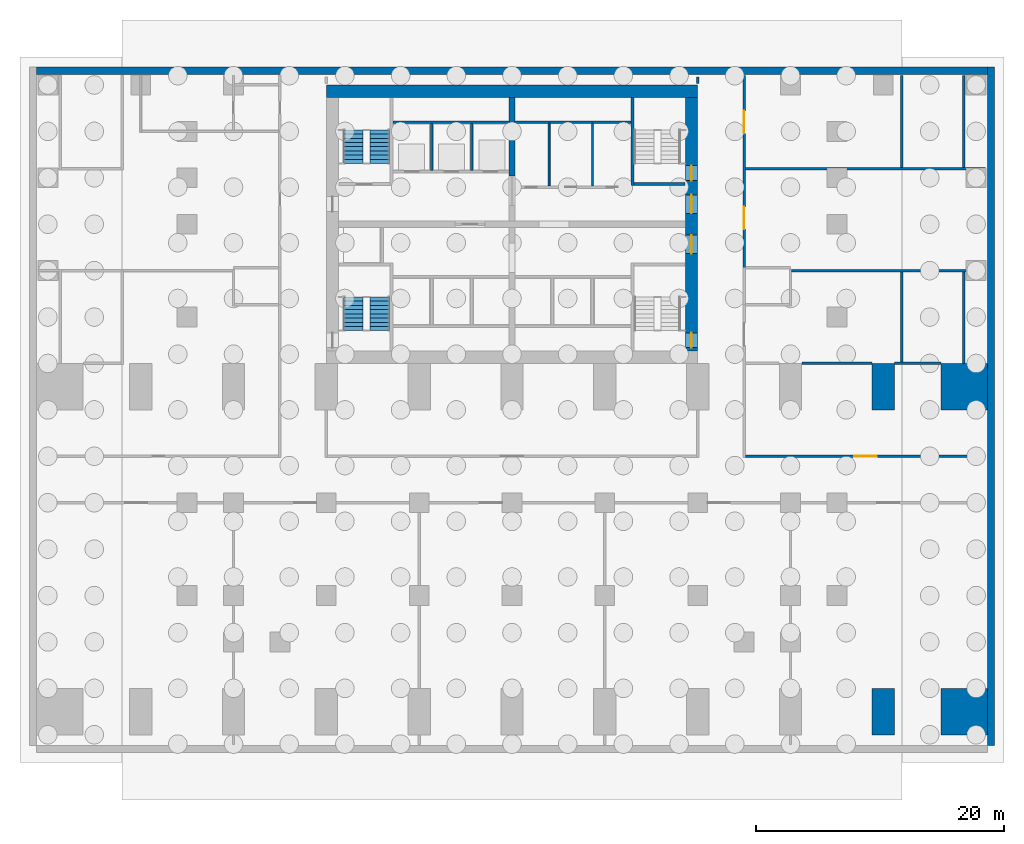
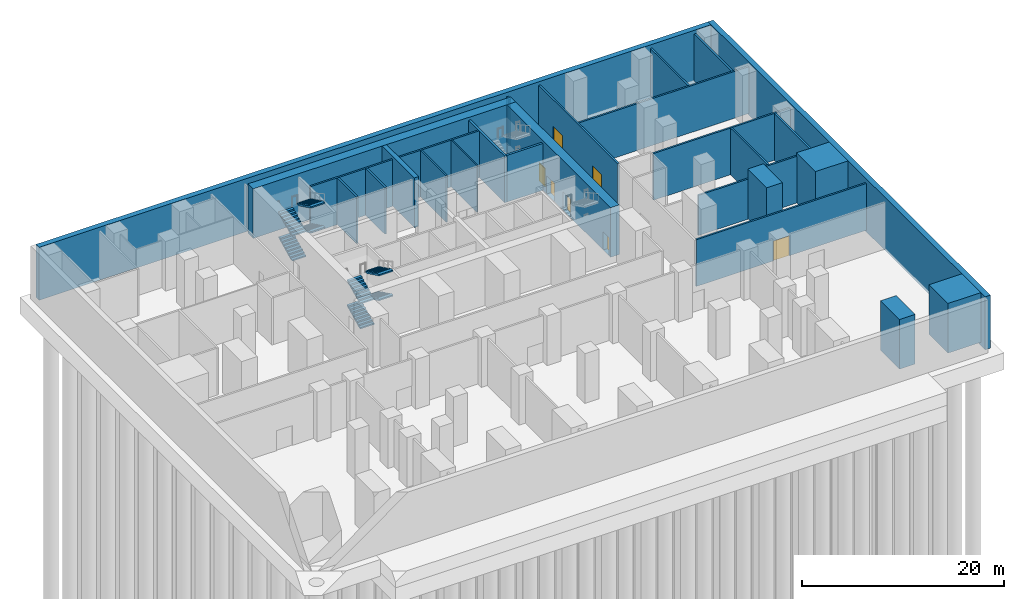
# One storey, part 6 of 9: 28 walls, 8 stair flights, 7 doors, 7 openings, 2 elements without a shape of their own.
"""IFC4 building model written with IfcOpenShell, lengths in metres."""

from ifc_helpers import new_model, si_unit, direction, frame, frame_2d, origin, place, context, subcontext, project, spatial, polyline, rectangle, outline, extrude, material, layer, layer_set, type_object, element, fill, aggregate, save


model = new_model("IFC4")

# Units and contexts
model_context = context("Model", 3, precision=1e-05, world=origin(), true_north=direction((0.0, 1.0)))
body_context = subcontext(model_context, "Body", "Model", "MODEL_VIEW")
ifc_project = project(units=[si_unit("LENGTHUNIT", "METRE"), si_unit("AREAUNIT", "SQUARE_METRE"), si_unit("VOLUMEUNIT", "CUBIC_METRE"), si_unit("PLANEANGLEUNIT", "RADIAN"), si_unit("MASSUNIT", "GRAM", prefix="KILO")], contexts=[model_context])

# Site, building, storey
site_placement = place(None, origin())
site = spatial("IfcSite", under=ifc_project, at=site_placement, CompositionType="ELEMENT")
building_placement = place(site_placement, origin())
building = spatial("IfcBuilding", under=site, at=building_placement, Name="Pilkhan Gate Tower", CompositionType="ELEMENT")
storey_placement = place(building_placement, frame((0.0, 0.0, -6.0)))
storey = spatial("IfcBuildingStorey", under=building, at=storey_placement, Name="B1", CompositionType="ELEMENT", Elevation=-6.0)

# Walls
ifc_material_1 = material(Name="Concrete C70/85", Category="concrete")
ifc_layer_1 = layer(ifc_material_1, 1.800048828125)
ifc_layer_set_1 = layer_set([ifc_layer_1], Name="Arch pier AP1800 C70/85")
wall_type_1 = type_object("IfcWallType", Name="Arch pier AP1800 C70/85", PredefinedType="SHEAR", material=ifc_layer_set_1)
for number, where, z_axis, x_axis, name in (
    (1, (105.0, 41.25, 0.0), (0.0, 0.0, 1.0), (0.0, 1.0, 0.0), "Arch pier S+4 B1"),
    (2, (105.0, 67.5, 0.0), (0.0, 0.0, 1.0), (0.0, 1.0, 0.0), "Arch pier N+4 B1"),
):
    element("IfcWall", number, at=place(storey_placement, frame(where, z_axis=z_axis, x_axis=x_axis)), inside=storey, type_object=wall_type_1, Name=name, PredefinedType="SHEAR", context=body_context, shape_type="SweptSolid", body=[
        extrude(rectangle(XDim=3.75, YDim=1.800048828125, at=frame_2d((1.875, 0.0))), origin(), (0.0, 0.0, 1.0), 6.0),
    ])
ifc_layer_2 = layer(ifc_material_1, 3.75)
ifc_layer_set_2 = layer_set([ifc_layer_2], Name="Arch pier AP3750 C70/85")
wall_type_2 = type_object("IfcWallType", Name="Arch pier AP3750 C70/85", PredefinedType="SHEAR", material=ifc_layer_set_2)
for number, where, z_axis, x_axis, name in (
    (3, (111.52490234375, 41.25, 0.0), (0.0, 0.0, 1.0), (0.0, 1.0, 0.0), "Arch pier S+5 B1"),
    (4, (111.52490234375, 67.5, 0.0), (0.0, 0.0, 1.0), (0.0, 1.0, 0.0), "Arch pier N+5 B1"),
):
    element("IfcWall", number, at=place(storey_placement, frame(where, z_axis=z_axis, x_axis=x_axis)), inside=storey, type_object=wall_type_2, Name=name, PredefinedType="SHEAR", context=body_context, shape_type="SweptSolid", body=[
        extrude(rectangle(XDim=3.75, YDim=3.75, at=frame_2d((1.875, 0.0))), origin(), (0.0, 0.0, 1.0), 6.0),
    ])

# Wall, openings, doors
ifc_layer_3 = layer(ifc_material_1, 1.0)
ifc_layer_set_3 = layer_set([ifc_layer_3], Name="Core wall CW1000 C70/85")
wall_type_3 = type_object("IfcWallType", Name="Core wall CW1000 C70/85", PredefinedType="SHEAR", material=ifc_layer_set_3)
wall_1_placement = place(storey_placement, frame((89.5, 72.25, 0.0), z_axis=(0.0, 0.0, 1.0), x_axis=(0.0, 1.0, 0.0)))
wall_1 = element("IfcWall", 5, at=wall_1_placement, inside=storey, type_object=wall_type_3, Name="Core wall E B1", PredefinedType="SHEAR", context=body_context, shape_type="SweptSolid", body=[
    extrude(rectangle(XDim=20.5, YDim=1.0, at=frame_2d((10.25, 0.0))), origin(), (0.0, 0.0, 1.0), 6.0),
])
opening_1_placement = place(wall_1_placement, frame((0.27490234375, 0.0, 0.0)))
opening_1 = element("IfcOpeningElement", 6, at=opening_1_placement, cuts=wall_1, Name="Opening B1-03", PredefinedType="OPENING", context=body_context, shape_type="SweptSolid", body=[
    extrude(rectangle(XDim=1.199951171875, YDim=2.199951171875, at=frame_2d((0.60009765625, 1.10009765625))), frame((0.0, 0.510009765625, 0.0), z_axis=(0.0, -1.0, 0.0), x_axis=(1.0, 0.0, 0.0)), (0.0, 0.0, 1.0), 1.02001953125),
])
opening_2_placement = place(wall_1_placement, frame((13.77490234375, 0.0, 0.0)))
opening_2 = element("IfcOpeningElement", 7, at=opening_2_placement, cuts=wall_1, Name="Opening B1-05", PredefinedType="OPENING", context=body_context, shape_type="SweptSolid", body=[
    extrude(rectangle(XDim=1.199951171875, YDim=2.199951171875, at=frame_2d((0.60009765625, 1.10009765625))), frame((0.0, 0.510009765625, 0.0), z_axis=(0.0, -1.0, 0.0), x_axis=(1.0, 0.0, 0.0)), (0.0, 0.0, 1.0), 1.02001953125),
])
opening_3_placement = place(wall_1_placement, frame((7.875, 0.0, 0.0)))
opening_3 = element("IfcOpeningElement", 8, at=opening_3_placement, cuts=wall_1, Name="Opening B1-06", PredefinedType="OPENING", context=body_context, shape_type="SweptSolid", body=[
    extrude(rectangle(XDim=1.5, YDim=2.199951171875, at=frame_2d((0.75, 1.10009765625))), frame((0.0, 0.510009765625, 0.0), z_axis=(0.0, -1.0, 0.0), x_axis=(1.0, 0.0, 0.0)), (0.0, 0.0, 1.0), 1.02001953125),
])
opening_4_placement = place(wall_1_placement, frame((11.125, 0.0, 0.0)))
opening_4 = element("IfcOpeningElement", 9, at=opening_4_placement, cuts=wall_1, Name="Opening B1-08", PredefinedType="OPENING", context=body_context, shape_type="SweptSolid", body=[
    extrude(rectangle(XDim=1.5, YDim=2.199951171875, at=frame_2d((0.75, 1.10009765625))), frame((0.0, 0.510009765625, 0.0), z_axis=(0.0, -1.0, 0.0), x_axis=(1.0, 0.0, 0.0)), (0.0, 0.0, 1.0), 1.02001953125),
])
ifc_material_2 = material(Name="Steel framed glazed door, 60 minute fire resisting", Category="steel")
door_type_1 = type_object("IfcDoorType", Name="Lobby door D09 1500x2200", OperationType="DOUBLE_DOOR_SINGLE_SWING", PredefinedType="DOOR", material=ifc_material_2)
door_1_placement = place(opening_3_placement, origin())
door_1 = element("IfcDoor", 10, at=door_1_placement, inside=storey, type_object=door_type_1, Name="Core door", OperationType="DOUBLE_DOOR_SINGLE_SWING", OverallHeight=2.199951171875, OverallWidth=1.5, PredefinedType="DOOR", context=body_context, shape_type="SweptSolid", body=[
    extrude(rectangle(XDim=1.5, YDim=2.199951171875, at=frame_2d((0.75, 1.10009765625))), frame((0.0, 0.02490234375, 0.0), z_axis=(0.0, -1.0, 0.0), x_axis=(1.0, 0.0, 0.0)), (0.0, 0.0, 1.0), 0.050048828125),
])
fill(opening_3, door_1)
door_2_placement = place(opening_4_placement, origin())
door_2 = element("IfcDoor", 11, at=door_2_placement, inside=storey, type_object=door_type_1, Name="Core door", OperationType="DOUBLE_DOOR_SINGLE_SWING", OverallHeight=2.199951171875, OverallWidth=1.5, PredefinedType="DOOR", context=body_context, shape_type="SweptSolid", body=[
    extrude(rectangle(XDim=1.5, YDim=2.199951171875, at=frame_2d((0.75, 1.10009765625))), frame((0.0, 0.02490234375, 0.0), z_axis=(0.0, -1.0, 0.0), x_axis=(1.0, 0.0, 0.0)), (0.0, 0.0, 1.0), 0.050048828125),
])
fill(opening_4, door_2)
ifc_material_3 = material(Name="Steel door, 120 minute fire resisting, panic bar", Category="steel")
door_type_2 = type_object("IfcDoorType", Name="Stair door D11 1200x2200", OperationType="SINGLE_SWING_LEFT", PredefinedType="DOOR", material=ifc_material_3)
door_3_placement = place(opening_1_placement, origin())
door_3 = element("IfcDoor", 12, at=door_3_placement, inside=storey, type_object=door_type_2, Name="Stair ST1 door", OperationType="SINGLE_SWING_RIGHT", OverallHeight=2.199951171875, OverallWidth=1.199951171875, PredefinedType="DOOR", context=body_context, shape_type="SweptSolid", body=[
    extrude(rectangle(XDim=1.199951171875, YDim=2.199951171875, at=frame_2d((0.60009765625, 1.10009765625))), frame((0.0, 0.02490234375, 0.0), z_axis=(0.0, -1.0, 0.0), x_axis=(1.0, 0.0, 0.0)), (0.0, 0.0, 1.0), 0.050048828125),
])
fill(opening_1, door_3)
door_4_placement = place(opening_2_placement, origin())
door_4 = element("IfcDoor", 13, at=door_4_placement, inside=storey, type_object=door_type_2, Name="Stair ST4 door", OperationType="SINGLE_SWING_LEFT", OverallHeight=2.199951171875, OverallWidth=1.199951171875, PredefinedType="DOOR", context=body_context, shape_type="SweptSolid", body=[
    extrude(rectangle(XDim=1.199951171875, YDim=2.199951171875, at=frame_2d((0.60009765625, 1.10009765625))), frame((0.0, 0.02490234375, 0.0), z_axis=(0.0, -1.0, 0.0), x_axis=(1.0, 0.0, 0.0)), (0.0, 0.0, 1.0), 0.050048828125),
])
fill(opening_2, door_4)

# Walls
wall_2_placement = place(storey_placement, frame((90.0, 93.25, 0.0), z_axis=(0.0, 0.0, 1.0), x_axis=(-1.0, 0.0, 0.0)))
element("IfcWall", 14, at=wall_2_placement, inside=storey, type_object=wall_type_3, Name="Core wall N B1", PredefinedType="SHEAR", context=body_context, shape_type="SweptSolid", body=[
    extrude(rectangle(XDim=30.0, YDim=1.0, at=frame_2d((15.0, 0.0))), origin(), (0.0, 0.0, 1.0), 6.0),
])
ifc_material_4 = material(Name="Dense blockwork", Category="masonry")
ifc_layer_4 = layer(ifc_material_4, 0.199951171875)
ifc_layer_set_4 = layer_set([ifc_layer_4], Name="Corridor wall FW200")
wall_type_4 = type_object("IfcWallType", Name="Corridor wall FW200", PredefinedType="PARTITIONING", material=ifc_layer_set_4)
wall_3_placement = place(storey_placement, frame((90.0, 93.8701171875, 0.0), z_axis=(0.0, 0.0, 1.0), x_axis=(0.0, 1.0, 0.0)))
element("IfcWall", 15, at=wall_3_placement, inside=storey, type_object=wall_type_4, Name="Partition B1", PredefinedType="PARTITIONING", context=body_context, shape_type="SweptSolid", body=[
    extrude(rectangle(XDim=0.52490234375, YDim=0.199951171875, at=frame_2d((0.262451171875, 0.0))), origin(), (0.0, 0.0, 1.0), 5.64990234375),
])

# Wall, opening, door
ifc_layer_5 = layer(ifc_material_4, 0.199951171875)
ifc_layer_set_5 = layer_set([ifc_layer_5], Name="Lobby wall LW200")
wall_type_5 = type_object("IfcWallType", Name="Lobby wall LW200", PredefinedType="PARTITIONING", material=ifc_layer_set_5)
wall_4_placement = place(storey_placement, frame((93.85009765625, 63.75, 0.0), z_axis=(0.0, 0.0, 1.0), x_axis=(1.0, 0.0, 0.0)))
wall_4 = element("IfcWall", 16, at=wall_4_placement, inside=storey, type_object=wall_type_5, Name="Partition B1", PredefinedType="PARTITIONING", context=body_context, shape_type="SweptSolid", body=[
    extrude(rectangle(XDim=19.414794921875, YDim=0.199951171875, at=frame_2d((9.70751953125, 0.0))), origin(), (0.0, 0.0, 1.0), 5.64990234375),
])
opening_5_placement = place(wall_4_placement, frame((8.800048828125, 0.0, 0.0)))
opening_5 = element("IfcOpeningElement", 17, at=opening_5_placement, cuts=wall_4, Name="Opening B1-21", PredefinedType="OPENING", context=body_context, shape_type="SweptSolid", body=[
    extrude(rectangle(XDim=1.800048828125, YDim=2.39990234375, at=frame_2d((0.89990234375, 1.199951171875))), frame((0.0, 0.10986328125, 0.0), z_axis=(0.0, -1.0, 0.0), x_axis=(1.0, 0.0, 0.0)), (0.0, 0.0, 1.0), 0.219970703125),
])
ifc_material_5 = material(Name="Steel door, 120 minute fire resisting", Category="steel")
door_type_3 = type_object("IfcDoorType", Name="Plant room door D08 1800x2400", OperationType="DOUBLE_DOOR_SINGLE_SWING", PredefinedType="DOOR", material=ifc_material_5)
door_5_placement = place(opening_5_placement, origin())
door_5 = element("IfcDoor", 18, at=door_5_placement, inside=storey, type_object=door_type_3, Name="Plant room door", OperationType="DOUBLE_DOOR_SINGLE_SWING", OverallHeight=2.39990234375, OverallWidth=1.800048828125, PredefinedType="DOOR", context=body_context, shape_type="SweptSolid", body=[
    extrude(rectangle(XDim=1.800048828125, YDim=2.39990234375, at=frame_2d((0.89990234375, 1.199951171875))), frame((0.0, 0.02490234375, 0.0), z_axis=(0.0, -1.0, 0.0), x_axis=(1.0, 0.0, 0.0)), (0.0, 0.0, 1.0), 0.050048828125),
])
fill(opening_5, door_5)

# Walls
wall_5_placement = place(storey_placement, frame((98.409912109375, 71.25, 0.0), z_axis=(0.0, 0.0, 1.0), x_axis=(1.0, 0.0, 0.0)))
element("IfcWall", 19, at=wall_5_placement, inside=storey, type_object=wall_type_5, Name="Partition B1", PredefinedType="PARTITIONING", context=body_context, shape_type="SweptSolid", body=[
    extrude(rectangle(XDim=5.68017578125, YDim=0.199951171875, at=frame_2d((2.840087890625, 0.0))), origin(), (0.0, 0.0, 1.0), 4.85009765625),
])
wall_6_placement = place(storey_placement, frame((105.909912109375, 71.25, 0.0), z_axis=(0.0, 0.0, 1.0), x_axis=(1.0, 0.0, 0.0)))
element("IfcWall", 20, at=wall_6_placement, inside=storey, type_object=wall_type_5, Name="Partition B1", PredefinedType="PARTITIONING", context=body_context, shape_type="SweptSolid", body=[
    extrude(rectangle(XDim=3.72998046875, YDim=0.199951171875, at=frame_2d((1.864990234375, 0.0))), origin(), (0.0, 0.0, 1.0), 5.64990234375),
])
wall_7_placement = place(storey_placement, frame((97.60009765625, 78.75, 0.0), z_axis=(0.0, 0.0, 1.0), x_axis=(1.0, 0.0, 0.0)))
element("IfcWall", 21, at=wall_7_placement, inside=storey, type_object=wall_type_5, Name="Partition B1", PredefinedType="PARTITIONING", context=body_context, shape_type="SweptSolid", body=[
    extrude(rectangle(XDim=15.664794921875, YDim=0.199951171875, at=frame_2d((7.83251953125, 0.0))), origin(), (0.0, 0.0, 1.0), 5.64990234375),
])
wall_8_placement = place(storey_placement, frame((93.85009765625, 87.0, 0.0), z_axis=(0.0, 0.0, 1.0), x_axis=(1.0, 0.0, 0.0)))
element("IfcWall", 22, at=wall_8_placement, inside=storey, type_object=wall_type_5, Name="Partition B1", PredefinedType="PARTITIONING", context=body_context, shape_type="SweptSolid", body=[
    extrude(rectangle(XDim=19.414794921875, YDim=0.199951171875, at=frame_2d((9.70751953125, 0.0))), origin(), (0.0, 0.0, 1.0), 5.64990234375),
])
wall_9_placement = place(storey_placement, frame((75.260009765625, 90.75, 0.0), z_axis=(0.0, 0.0, 1.0), x_axis=(1.0, 0.0, 0.0)))
element("IfcWall", 23, at=wall_9_placement, inside=storey, type_object=wall_type_5, Name="Partition B1", PredefinedType="PARTITIONING", context=body_context, shape_type="SweptSolid", body=[
    extrude(rectangle(XDim=9.364990234375, YDim=0.199951171875, at=frame_2d((4.6826171875, 0.0))), origin(), (0.0, 0.0, 1.0), 5.64990234375),
])

# Wall, openings, doors
wall_10_placement = place(storey_placement, frame((93.75, 78.89990234375, 0.0), z_axis=(0.0, 0.0, 1.0), x_axis=(0.0, 1.0, 0.0)))
wall_10 = element("IfcWall", 24, at=wall_10_placement, inside=storey, type_object=wall_type_5, Name="Partition B1", PredefinedType="PARTITIONING", context=body_context, shape_type="SweptSolid", body=[
    extrude(rectangle(XDim=15.614990234375, YDim=0.199951171875, at=frame_2d((7.8076171875, 0.0))), origin(), (0.0, 0.0, 1.0), 5.64990234375),
])
opening_6_placement = place(wall_10_placement, frame((3.199951171875, 0.0, 0.0)))
opening_6 = element("IfcOpeningElement", 25, at=opening_6_placement, cuts=wall_10, Name="Opening B1-24", PredefinedType="OPENING", context=body_context, shape_type="SweptSolid", body=[
    extrude(rectangle(XDim=1.800048828125, YDim=2.39990234375, at=frame_2d((0.89990234375, 1.199951171875))), frame((0.0, 0.10986328125, 0.0), z_axis=(0.0, -1.0, 0.0), x_axis=(1.0, 0.0, 0.0)), (0.0, 0.0, 1.0), 0.219970703125),
])
opening_7_placement = place(wall_10_placement, frame((10.949951171875, 0.0, 0.0)))
opening_7 = element("IfcOpeningElement", 26, at=opening_7_placement, cuts=wall_10, Name="Opening B1-25", PredefinedType="OPENING", context=body_context, shape_type="SweptSolid", body=[
    extrude(rectangle(XDim=1.800048828125, YDim=2.39990234375, at=frame_2d((0.89990234375, 1.199951171875))), frame((0.0, 0.10986328125, 0.0), z_axis=(0.0, -1.0, 0.0), x_axis=(1.0, 0.0, 0.0)), (0.0, 0.0, 1.0), 0.219970703125),
])
door_6_placement = place(opening_6_placement, origin())
door_6 = element("IfcDoor", 27, at=door_6_placement, inside=storey, type_object=door_type_3, Name="Plant room door", OperationType="DOUBLE_DOOR_SINGLE_SWING", OverallHeight=2.39990234375, OverallWidth=1.800048828125, PredefinedType="DOOR", context=body_context, shape_type="SweptSolid", body=[
    extrude(rectangle(XDim=1.800048828125, YDim=2.39990234375, at=frame_2d((0.89990234375, 1.199951171875))), frame((0.0, 0.02490234375, 0.0), z_axis=(0.0, -1.0, 0.0), x_axis=(1.0, 0.0, 0.0)), (0.0, 0.0, 1.0), 0.050048828125),
])
fill(opening_6, door_6)
door_7_placement = place(opening_7_placement, origin())
door_7 = element("IfcDoor", 28, at=door_7_placement, inside=storey, type_object=door_type_3, Name="Plant room door", OperationType="DOUBLE_DOOR_SINGLE_SWING", OverallHeight=2.39990234375, OverallWidth=1.800048828125, PredefinedType="DOOR", context=body_context, shape_type="SweptSolid", body=[
    extrude(rectangle(XDim=1.800048828125, YDim=2.39990234375, at=frame_2d((0.89990234375, 1.199951171875))), frame((0.0, 0.02490234375, 0.0), z_axis=(0.0, -1.0, 0.0), x_axis=(1.0, 0.0, 0.0)), (0.0, 0.0, 1.0), 0.050048828125),
])
fill(opening_7, door_7)

# Walls
wall_11_placement = place(storey_placement, frame((106.5, 71.35009765625, 0.0), z_axis=(0.0, 0.0, 1.0), x_axis=(0.0, 1.0, 0.0)))
element("IfcWall", 29, at=wall_11_placement, inside=storey, type_object=wall_type_5, Name="Partition B1", PredefinedType="PARTITIONING", context=body_context, shape_type="SweptSolid", body=[
    extrude(rectangle(XDim=7.2998046875, YDim=0.199951171875, at=frame_2d((3.64990234375, 0.0))), origin(), (0.0, 0.0, 1.0), 5.64990234375),
])
wall_12_placement = place(storey_placement, frame((106.5, 87.10009765625, 0.0), z_axis=(0.0, 0.0, 1.0), x_axis=(0.0, 1.0, 0.0)))
element("IfcWall", 30, at=wall_12_placement, inside=storey, type_object=wall_type_5, Name="Partition B1", PredefinedType="PARTITIONING", context=body_context, shape_type="SweptSolid", body=[
    extrude(rectangle(XDim=7.39990234375, YDim=0.199951171875, at=frame_2d((3.699951171875, 0.0))), origin(), (0.0, 0.0, 1.0), 5.64990234375),
])
wall_13_placement = place(storey_placement, frame((111.5, 71.260009765625, 0.0), z_axis=(0.0, 0.0, 1.0), x_axis=(0.0, 1.0, 0.0)))
element("IfcWall", 31, at=wall_13_placement, inside=storey, type_object=wall_type_5, Name="Partition B1", PredefinedType="PARTITIONING", context=body_context, shape_type="SweptSolid", body=[
    extrude(rectangle(XDim=7.389892578125, YDim=0.199951171875, at=frame_2d((3.69482421875, 0.0))), origin(), (0.0, 0.0, 1.0), 5.64990234375),
])
wall_14_placement = place(storey_placement, frame((111.5, 87.10009765625, 0.0), z_axis=(0.0, 0.0, 1.0), x_axis=(0.0, 1.0, 0.0)))
element("IfcWall", 32, at=wall_14_placement, inside=storey, type_object=wall_type_5, Name="Partition B1", PredefinedType="PARTITIONING", context=body_context, shape_type="SweptSolid", body=[
    extrude(rectangle(XDim=7.39990234375, YDim=0.199951171875, at=frame_2d((3.699951171875, 0.0))), origin(), (0.0, 0.0, 1.0), 5.64990234375),
])
ifc_material_6 = material(Name="Blockwork partition, plastered both sides", Category="masonry")
ifc_layer_6 = layer(ifc_material_6, 0.14990234375)
ifc_layer_set_6 = layer_set([ifc_layer_6], Name="Partition PW150")
wall_type_6 = type_object("IfcWallType", Name="Partition PW150", PredefinedType="PARTITIONING", material=ifc_layer_set_6)
for number, where, z_axis, x_axis, name in (
    (33, (78.0, 85.60009765625, 0.0), (0.0, 0.0, 1.0), (0.0, 1.0, 0.0), "Partition B1"),
    (34, (81.5, 85.60009765625, 0.0), (0.0, 0.0, 1.0), (0.0, 1.0, 0.0), "Partition B1"),
):
    element("IfcWall", number, at=place(storey_placement, frame(where, z_axis=z_axis, x_axis=x_axis)), inside=storey, type_object=wall_type_6, Name=name, PredefinedType="PARTITIONING", context=body_context, shape_type="SweptSolid", body=[
        extrude(rectangle(XDim=5.0498046875, YDim=0.14990234375, at=frame_2d((2.52490234375, 0.0))), origin(), (0.0, 0.0, 1.0), 5.64990234375),
    ])
ifc_layer_7 = layer(ifc_material_1, 0.60009765625)
ifc_layer_set_7 = layer_set([ifc_layer_7], Name="Retaining wall RW600 C70/85")
wall_type_7 = type_object("IfcWallType", Name="Retaining wall RW600 C70/85", PredefinedType="SOLIDWALL", material=ifc_layer_set_7)
wall_15_placement = place(storey_placement, frame((113.699951171875, 40.39990234375, -0.39990234375), z_axis=(0.0, 0.0, 1.0), x_axis=(0.0, 1.0, 0.0)))
element("IfcWall", 35, at=wall_15_placement, inside=storey, type_object=wall_type_7, Name="Retaining wall E", PredefinedType="SOLIDWALL", context=body_context, shape_type="SweptSolid", body=[
    extrude(rectangle(XDim=54.800048828125, YDim=0.60009765625, at=frame_2d((27.39990234375, 0.0))), origin(), (0.0, 0.0, 1.0), 6.39990234375),
])
wall_16_placement = place(storey_placement, frame((36.60009765625, 94.89990234375, -0.39990234375), z_axis=(0.0, 0.0, 1.0), x_axis=(1.0, 0.0, 0.0)))
element("IfcWall", 36, at=wall_16_placement, inside=storey, type_object=wall_type_7, Name="Retaining wall N", PredefinedType="SOLIDWALL", context=body_context, shape_type="SweptSolid", body=[
    extrude(rectangle(XDim=76.7998046875, YDim=0.60009765625, at=frame_2d((38.39990234375, 0.0))), origin(), (0.0, 0.0, 1.0), 6.39990234375),
])
ifc_material_7 = material(Name="Reinforced blockwork shaft wall, 120 minute fire resisting", Category="masonry")
ifc_layer_8 = layer(ifc_material_7, 0.199951171875)
ifc_layer_set_8 = layer_set([ifc_layer_8], Name="Shaft wall SW200")
wall_type_8 = type_object("IfcWallType", Name="Shaft wall SW200", PredefinedType="PARTITIONING", material=ifc_layer_set_8)
wall_17_placement = place(storey_placement, frame((65.375, 90.75, 0.0), z_axis=(0.0, 0.0, 1.0), x_axis=(1.0, 0.0, 0.0)))
element("IfcWall", 37, at=wall_17_placement, inside=storey, type_object=wall_type_8, Name="Partition B1", PredefinedType="PARTITIONING", context=body_context, shape_type="SweptSolid", body=[
    extrude(rectangle(XDim=9.364990234375, YDim=0.199951171875, at=frame_2d((4.6826171875, 0.0))), origin(), (0.0, 0.0, 1.0), 5.64990234375),
])
for number, where, z_axis, x_axis, name in (
    (38, (68.5, 86.85009765625, 0.0), (0.0, 0.0, 1.0), (0.0, 1.0, 0.0), "Partition B1"),
    (39, (71.75, 86.85009765625, 0.0), (0.0, 0.0, 1.0), (0.0, 1.0, 0.0), "Partition B1"),
):
    element("IfcWall", number, at=place(storey_placement, frame(where, z_axis=z_axis, x_axis=x_axis)), inside=storey, type_object=wall_type_8, Name=name, PredefinedType="PARTITIONING", context=body_context, shape_type="SweptSolid", body=[
        extrude(rectangle(XDim=3.7998046875, YDim=0.199951171875, at=frame_2d((1.89990234375, 0.0))), origin(), (0.0, 0.0, 1.0), 5.64990234375),
    ])
ifc_layer_9 = layer(ifc_material_1, 0.5)
ifc_layer_set_9 = layer_set([ifc_layer_9], Name="Spine wall SW500 C70/85")
wall_type_9 = type_object("IfcWallType", Name="Spine wall SW500 C70/85", PredefinedType="SHEAR", material=ifc_layer_set_9)
wall_18_placement = place(storey_placement, frame((75.0, 86.39990234375, 0.0), z_axis=(0.0, 0.0, 1.0), x_axis=(0.0, 1.0, 0.0)))
element("IfcWall", 40, at=wall_18_placement, inside=storey, type_object=wall_type_9, Name="Spine wall SP-NS-N2 B1", PredefinedType="SHEAR", context=body_context, shape_type="SweptSolid", body=[
    extrude(rectangle(XDim=6.35009765625, YDim=0.5, at=frame_2d((3.175048828125, 0.0))), origin(), (0.0, 0.0, 1.0), 6.0),
])
ifc_material_8 = material(Name="Reinforced blockwork, 120 minute fire resisting", Category="masonry")
ifc_layer_10 = layer(ifc_material_8, 0.25)
ifc_layer_set_10 = layer_set([ifc_layer_10], Name="Stair enclosure wall SE250")
wall_type_10 = type_object("IfcWallType", Name="Stair enclosure wall SE250", PredefinedType="PARTITIONING", material=ifc_layer_set_10)
wall_19_placement = place(storey_placement, frame((84.875, 85.75, 0.0), z_axis=(0.0, 0.0, 1.0), x_axis=(1.0, 0.0, 0.0)))
element("IfcWall", 41, at=wall_19_placement, inside=storey, type_object=wall_type_10, Name="Partition B1", PredefinedType="PARTITIONING", context=body_context, shape_type="SweptSolid", body=[
    extrude(rectangle(XDim=4.114990234375, YDim=0.25, at=frame_2d((2.0576171875, 0.0))), origin(), (0.0, 0.0, 1.0), 5.64990234375),
])
wall_20_placement = place(storey_placement, frame((84.75, 85.625, 0.0), z_axis=(0.0, 0.0, 1.0), x_axis=(0.0, 1.0, 0.0)))
element("IfcWall", 42, at=wall_20_placement, inside=storey, type_object=wall_type_10, Name="Partition B1", PredefinedType="PARTITIONING", context=body_context, shape_type="SweptSolid", body=[
    extrude(rectangle(XDim=7.114990234375, YDim=0.25, at=frame_2d((3.5576171875, 0.0))), origin(), (0.0, 0.0, 1.0), 5.64990234375),
])

# Stair, stair flights
ifc_material_9 = material(Name="Concrete C40/50 precast", Category="concrete")
stair_type_1 = type_object("IfcStairType", Name="Stair ST2 167x340", PredefinedType="HALF_TURN_STAIR", material=ifc_material_9)
stair_1_placement = place(storey_placement, origin())
stair_1 = element("IfcStair", 43, at=stair_1_placement, inside=storey, type_object=stair_type_1, Name="Stair ST2 B1", PredefinedType="HALF_TURN_STAIR")
stair_flight_type_1 = type_object("IfcStairFlightType", Name="Stair flight ST2 167x340x9", PredefinedType="STRAIGHT", material=ifc_material_9)
stair_flight_1_placement = place(storey_placement, frame((62.18994140625, 73.89990234375, 0.0), z_axis=(0.0, 0.0, 1.0), x_axis=(0.0, 1.0, 0.0)))
stair_flight_1 = element("IfcStairFlight", 44, at=stair_flight_1_placement, type_object=stair_flight_type_1, Name="ST2 flight 1", NumberOfRisers=9, NumberOfTreads=8, PredefinedType="STRAIGHT", RiserHeight=0.166666667, TreadLength=0.34, context=body_context, shape_type="SweptSolid", body=[
    extrude(outline(polyline([(0.0, 0.0), (0.0, 0.166748046875), (0.340087890625, 0.166748046875), (0.340087890625, 0.333251953125), (0.679931640625, 0.333251953125), (0.679931640625, 0.5), (1.02001953125, 0.5), (1.02001953125, 0.666748046875), (1.360107421875, 0.666748046875), (1.360107421875, 0.833251953125), (1.699951171875, 0.833251953125), (1.699951171875, 1.0), (2.0400390625, 1.0), (2.0400390625, 1.166748046875), (2.3798828125, 1.166748046875), (2.3798828125, 1.333251953125), (2.719970703125, 1.333251953125), (2.719970703125, 1.5), (2.719970703125, 1.16650390625), (0.340576171875, 0.0), (0.0, 0.0)])), frame((0.0, 0.7900390625, 0.0), z_axis=(0.0, -1.0, 0.0), x_axis=(1.0, 0.0, 0.0)), (0.0, 0.0, 1.0), 1.580078125),
])
stair_flight_2_placement = place(storey_placement, frame((64.31005859375, 76.6201171875, 1.5), z_axis=(0.0, 0.0, 1.0), x_axis=(0.0, -1.0, 0.0)))
stair_flight_2 = element("IfcStairFlight", 45, at=stair_flight_2_placement, type_object=stair_flight_type_1, Name="ST2 flight 2", NumberOfRisers=9, NumberOfTreads=8, PredefinedType="STRAIGHT", RiserHeight=0.166666667, TreadLength=0.34, context=body_context, shape_type="SweptSolid", body=[
    extrude(outline(polyline([(0.0, 0.0), (0.0, 0.166748046875), (0.340087890625, 0.166748046875), (0.340087890625, 0.333251953125), (0.679931640625, 0.333251953125), (0.679931640625, 0.5), (1.02001953125, 0.5), (1.02001953125, 0.666748046875), (1.360107421875, 0.666748046875), (1.360107421875, 0.833251953125), (1.699951171875, 0.833251953125), (1.699951171875, 1.0), (2.0400390625, 1.0), (2.0400390625, 1.166748046875), (2.3798828125, 1.166748046875), (2.3798828125, 1.333251953125), (2.719970703125, 1.333251953125), (2.719970703125, 1.5), (2.719970703125, 1.16650390625), (0.340576171875, 0.0), (0.0, 0.0)])), frame((0.0, 0.7900390625, 0.0), z_axis=(0.0, -1.0, 0.0), x_axis=(1.0, 0.0, 0.0)), (0.0, 0.0, 1.0), 1.580078125),
])
stair_flight_3_placement = place(storey_placement, frame((62.18994140625, 73.89990234375, 3.0), z_axis=(0.0, 0.0, 1.0), x_axis=(0.0, 1.0, 0.0)))
stair_flight_3 = element("IfcStairFlight", 46, at=stair_flight_3_placement, type_object=stair_flight_type_1, Name="ST2 flight 3", NumberOfRisers=9, NumberOfTreads=8, PredefinedType="STRAIGHT", RiserHeight=0.166666667, TreadLength=0.34, context=body_context, shape_type="SweptSolid", body=[
    extrude(outline(polyline([(0.0, 0.0), (0.0, 0.166748046875), (0.340087890625, 0.166748046875), (0.340087890625, 0.333251953125), (0.679931640625, 0.333251953125), (0.679931640625, 0.5), (1.02001953125, 0.5), (1.02001953125, 0.666748046875), (1.360107421875, 0.666748046875), (1.360107421875, 0.833251953125), (1.699951171875, 0.833251953125), (1.699951171875, 1.0), (2.0400390625, 1.0), (2.0400390625, 1.166748046875), (2.3798828125, 1.166748046875), (2.3798828125, 1.333251953125), (2.719970703125, 1.333251953125), (2.719970703125, 1.5), (2.719970703125, 1.16650390625), (0.340576171875, 0.0), (0.0, 0.0)])), frame((0.0, 0.7900390625, 0.0), z_axis=(0.0, -1.0, 0.0), x_axis=(1.0, 0.0, 0.0)), (0.0, 0.0, 1.0), 1.580078125),
])
stair_flight_4_placement = place(storey_placement, frame((64.31005859375, 76.6201171875, 4.5), z_axis=(0.0, 0.0, 1.0), x_axis=(0.0, -1.0, 0.0)))
stair_flight_4 = element("IfcStairFlight", 47, at=stair_flight_4_placement, type_object=stair_flight_type_1, Name="ST2 flight 4", NumberOfRisers=9, NumberOfTreads=8, PredefinedType="STRAIGHT", RiserHeight=0.166666667, TreadLength=0.34, context=body_context, shape_type="SweptSolid", body=[
    extrude(outline(polyline([(0.0, 0.0), (0.0, 0.166748046875), (0.340087890625, 0.166748046875), (0.340087890625, 0.333251953125), (0.679931640625, 0.333251953125), (0.679931640625, 0.5), (1.02001953125, 0.5), (1.02001953125, 0.666748046875), (1.360107421875, 0.666748046875), (1.360107421875, 0.833251953125), (1.699951171875, 0.833251953125), (1.699951171875, 1.0), (2.0400390625, 1.0), (2.0400390625, 1.166748046875), (2.3798828125, 1.166748046875), (2.3798828125, 1.333251953125), (2.719970703125, 1.333251953125), (2.719970703125, 1.5), (2.719970703125, 1.16650390625), (0.340576171875, 0.0), (0.0, 0.0)])), frame((0.0, 0.7900390625, 0.0), z_axis=(0.0, -1.0, 0.0), x_axis=(1.0, 0.0, 0.0)), (0.0, 0.0, 1.0), 1.580078125),
])
aggregate(stair_1, [stair_flight_1, stair_flight_2, stair_flight_3, stair_flight_4])

stair_type_2 = type_object("IfcStairType", Name="Stair ST3 167x340", PredefinedType="HALF_TURN_STAIR", material=ifc_material_9)
stair_2_placement = place(storey_placement, origin())
stair_2 = element("IfcStair", 48, at=stair_2_placement, inside=storey, type_object=stair_type_2, Name="Stair ST3 B1", PredefinedType="HALF_TURN_STAIR")
stair_flight_type_2 = type_object("IfcStairFlightType", Name="Stair flight ST3 167x340x9", PredefinedType="STRAIGHT", material=ifc_material_9)
stair_flight_5_placement = place(storey_placement, frame((62.18994140625, 87.39990234375, 0.0), z_axis=(0.0, 0.0, 1.0), x_axis=(0.0, 1.0, 0.0)))
stair_flight_5 = element("IfcStairFlight", 49, at=stair_flight_5_placement, type_object=stair_flight_type_2, Name="ST3 flight 1", NumberOfRisers=9, NumberOfTreads=8, PredefinedType="STRAIGHT", RiserHeight=0.166666667, TreadLength=0.34, context=body_context, shape_type="SweptSolid", body=[
    extrude(outline(polyline([(0.0, 0.0), (0.0, 0.166748046875), (0.340087890625, 0.166748046875), (0.340087890625, 0.333251953125), (0.679931640625, 0.333251953125), (0.679931640625, 0.5), (1.02001953125, 0.5), (1.02001953125, 0.666748046875), (1.360107421875, 0.666748046875), (1.360107421875, 0.833251953125), (1.699951171875, 0.833251953125), (1.699951171875, 1.0), (2.0400390625, 1.0), (2.0400390625, 1.166748046875), (2.3798828125, 1.166748046875), (2.3798828125, 1.333251953125), (2.719970703125, 1.333251953125), (2.719970703125, 1.5), (2.719970703125, 1.16650390625), (0.340576171875, 0.0), (0.0, 0.0)])), frame((0.0, 0.7900390625, 0.0), z_axis=(0.0, -1.0, 0.0), x_axis=(1.0, 0.0, 0.0)), (0.0, 0.0, 1.0), 1.580078125),
])
stair_flight_6_placement = place(storey_placement, frame((64.31005859375, 90.1201171875, 1.5), z_axis=(0.0, 0.0, 1.0), x_axis=(0.0, -1.0, 0.0)))
stair_flight_6 = element("IfcStairFlight", 50, at=stair_flight_6_placement, type_object=stair_flight_type_2, Name="ST3 flight 2", NumberOfRisers=9, NumberOfTreads=8, PredefinedType="STRAIGHT", RiserHeight=0.166666667, TreadLength=0.34, context=body_context, shape_type="SweptSolid", body=[
    extrude(outline(polyline([(0.0, 0.0), (0.0, 0.166748046875), (0.340087890625, 0.166748046875), (0.340087890625, 0.333251953125), (0.679931640625, 0.333251953125), (0.679931640625, 0.5), (1.02001953125, 0.5), (1.02001953125, 0.666748046875), (1.360107421875, 0.666748046875), (1.360107421875, 0.833251953125), (1.699951171875, 0.833251953125), (1.699951171875, 1.0), (2.0400390625, 1.0), (2.0400390625, 1.166748046875), (2.3798828125, 1.166748046875), (2.3798828125, 1.333251953125), (2.719970703125, 1.333251953125), (2.719970703125, 1.5), (2.719970703125, 1.16650390625), (0.340576171875, 0.0), (0.0, 0.0)])), frame((0.0, 0.7900390625, 0.0), z_axis=(0.0, -1.0, 0.0), x_axis=(1.0, 0.0, 0.0)), (0.0, 0.0, 1.0), 1.580078125),
])
stair_flight_7_placement = place(storey_placement, frame((62.18994140625, 87.39990234375, 3.0), z_axis=(0.0, 0.0, 1.0), x_axis=(0.0, 1.0, 0.0)))
stair_flight_7 = element("IfcStairFlight", 51, at=stair_flight_7_placement, type_object=stair_flight_type_2, Name="ST3 flight 3", NumberOfRisers=9, NumberOfTreads=8, PredefinedType="STRAIGHT", RiserHeight=0.166666667, TreadLength=0.34, context=body_context, shape_type="SweptSolid", body=[
    extrude(outline(polyline([(0.0, 0.0), (0.0, 0.166748046875), (0.340087890625, 0.166748046875), (0.340087890625, 0.333251953125), (0.679931640625, 0.333251953125), (0.679931640625, 0.5), (1.02001953125, 0.5), (1.02001953125, 0.666748046875), (1.360107421875, 0.666748046875), (1.360107421875, 0.833251953125), (1.699951171875, 0.833251953125), (1.699951171875, 1.0), (2.0400390625, 1.0), (2.0400390625, 1.166748046875), (2.3798828125, 1.166748046875), (2.3798828125, 1.333251953125), (2.719970703125, 1.333251953125), (2.719970703125, 1.5), (2.719970703125, 1.16650390625), (0.340576171875, 0.0), (0.0, 0.0)])), frame((0.0, 0.7900390625, 0.0), z_axis=(0.0, -1.0, 0.0), x_axis=(1.0, 0.0, 0.0)), (0.0, 0.0, 1.0), 1.580078125),
])
stair_flight_8_placement = place(storey_placement, frame((64.31005859375, 90.1201171875, 4.5), z_axis=(0.0, 0.0, 1.0), x_axis=(0.0, -1.0, 0.0)))
stair_flight_8 = element("IfcStairFlight", 52, at=stair_flight_8_placement, type_object=stair_flight_type_2, Name="ST3 flight 4", NumberOfRisers=9, NumberOfTreads=8, PredefinedType="STRAIGHT", RiserHeight=0.166666667, TreadLength=0.34, context=body_context, shape_type="SweptSolid", body=[
    extrude(outline(polyline([(0.0, 0.0), (0.0, 0.166748046875), (0.340087890625, 0.166748046875), (0.340087890625, 0.333251953125), (0.679931640625, 0.333251953125), (0.679931640625, 0.5), (1.02001953125, 0.5), (1.02001953125, 0.666748046875), (1.360107421875, 0.666748046875), (1.360107421875, 0.833251953125), (1.699951171875, 0.833251953125), (1.699951171875, 1.0), (2.0400390625, 1.0), (2.0400390625, 1.166748046875), (2.3798828125, 1.166748046875), (2.3798828125, 1.333251953125), (2.719970703125, 1.333251953125), (2.719970703125, 1.5), (2.719970703125, 1.16650390625), (0.340576171875, 0.0), (0.0, 0.0)])), frame((0.0, 0.7900390625, 0.0), z_axis=(0.0, -1.0, 0.0), x_axis=(1.0, 0.0, 0.0)), (0.0, 0.0, 1.0), 1.580078125),
])
aggregate(stair_2, [stair_flight_5, stair_flight_6, stair_flight_7, stair_flight_8])

save(model, "model.ifc")
